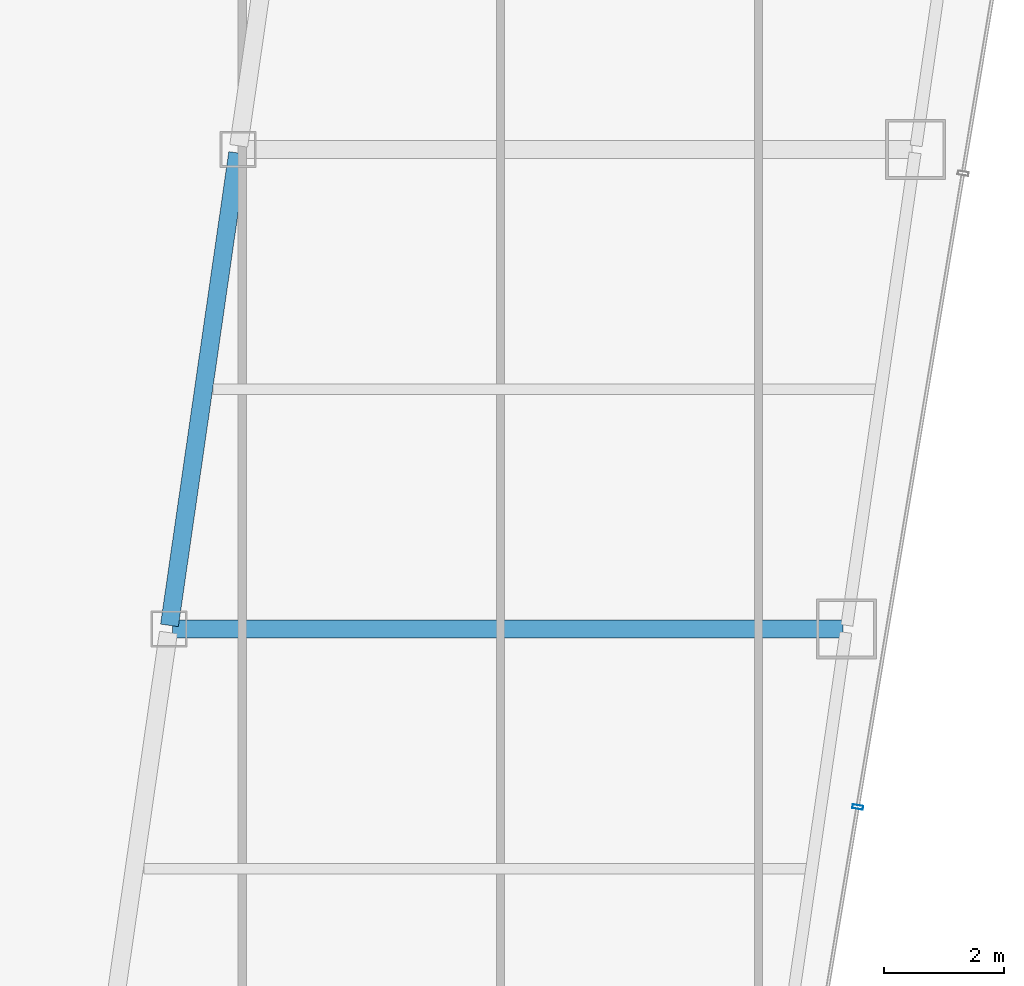
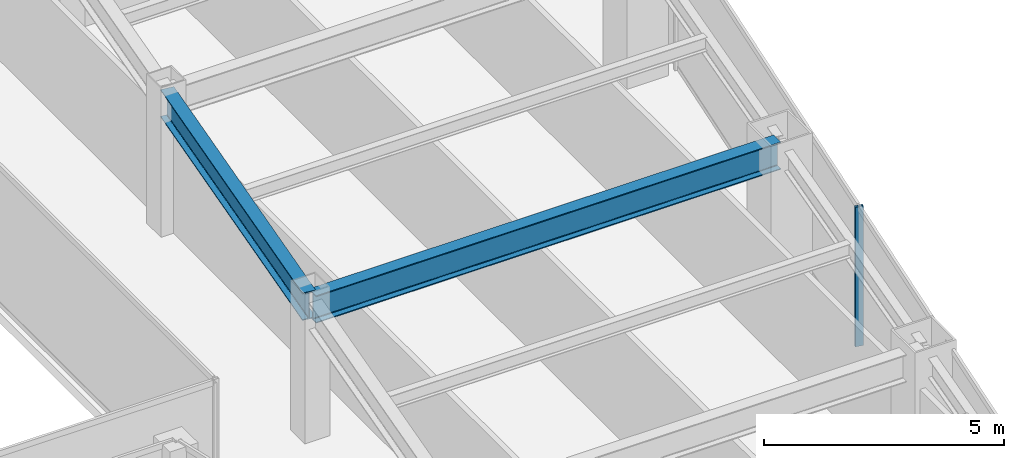
# One storey, part 16 of 36: 2 beams, 1 member, 1 element without a shape of its own.
"""IFC4 building model written with IfcOpenShell, lengths in metres."""

from ifc_helpers import new_model, si_unit, direction, frame, origin, origin_2d, place, context, subcontext, project, spatial, hollow_rectangle, i_section, extrude, material, material_profile, profile_set, type_object, element, aggregate, save


model = new_model("IFC4")

# Units and contexts
model_context = context("Model", 3, precision=1e-05, world=origin(), true_north=direction((0.0, 1.0)))
body_context = subcontext(model_context, "Body", "Model", "MODEL_VIEW")
ifc_project = project(units=[si_unit("LENGTHUNIT", "METRE"), si_unit("AREAUNIT", "SQUARE_METRE"), si_unit("VOLUMEUNIT", "CUBIC_METRE"), si_unit("PLANEANGLEUNIT", "RADIAN"), si_unit("MASSUNIT", "GRAM", prefix="KILO")], contexts=[model_context])

# Site, building, storey
site_placement = place(None, origin())
site = spatial("IfcSite", under=ifc_project, at=site_placement, CompositionType="ELEMENT")
building_placement = place(site_placement, origin())
building = spatial("IfcBuilding", under=site, at=building_placement, Name="Saevonmaru Cultural Tower", CompositionType="ELEMENT")
storey_placement = place(building_placement, frame((0.0, 0.0, 148.60009765625)))
storey = spatial("IfcBuildingStorey", under=building, at=storey_placement, Name="L32", CompositionType="ELEMENT", Elevation=148.60009765625)

# Beams
ifc_material_1 = material(Name="Steel SM355", Category="steel")
ifc_material_profile_1 = material_profile(ifc_material_1, i_section(OverallWidth=0.300048828125, OverallDepth=0.699951171875, WebThickness=0.012939453125, FlangeThickness=0.02392578125, FilletRadius=0.02587890625, at=origin_2d()), Name="H-700x300x13x24")
ifc_profile_set_1 = profile_set([ifc_material_profile_1], Name="Steel SM355")
beam_type = type_object("IfcBeamType", Name="BM-G-H700", PredefinedType="BEAM", material=ifc_profile_set_1)
beam_1_placement = place(storey_placement, frame((39.236572265625, 24.059326171875, 3.199951171875), z_axis=(0.142902032203, 0.989736838353, 0.0), x_axis=(-0.989736838353, 0.142902032203, 0.0)))
element("IfcBeam", 1, at=beam_1_placement, inside=storey, type_object=beam_type, Name="L32 East Atrium Girder 3", PredefinedType="BEAM", context=body_context, shape_type="SweptSolid", body=[
    extrude(i_section(OverallWidth=0.300048828125, OverallDepth=0.699951171875, WebThickness=0.012939453125, FlangeThickness=0.02392578125, FilletRadius=0.02587890625, at=origin_2d()), origin(), (0.0, 0.0, 1.0), 7.963134765625),
])
beam_2_placement = place(storey_placement, frame((39.2880859375, 24.0, 3.199951171875), z_axis=(1.0, 0.0, 0.0), x_axis=(0.0, 1.0, 0.0)))
element("IfcBeam", 2, at=beam_2_placement, inside=storey, type_object=beam_type, Name="L32 East Wing Transverse Girder 3", PredefinedType="BEAM", context=body_context, shape_type="SweptSolid", body=[
    extrude(i_section(OverallWidth=0.300048828125, OverallDepth=0.699951171875, WebThickness=0.012939453125, FlangeThickness=0.02392578125, FilletRadius=0.02587890625, at=origin_2d()), origin(), (0.0, 0.0, 1.0), 11.179931640625),
])

# Curtain wall, member
ifc_material_2 = material(Name="Satin Bronze Anodised Aluminium", Category="aluminium")
curtain_wall_type = type_object("IfcCurtainWallType", Name="CW-TYP-A", PredefinedType="NOTDEFINED", material=ifc_material_2)
curtain_wall_placement = place(storey_placement, origin())
curtain_wall = element("IfcCurtainWall", 3, at=curtain_wall_placement, inside=storey, type_object=curtain_wall_type, Name="L32 Unitised Curtain Wall E8", PredefinedType="NOTDEFINED")
ifc_material_profile_2 = material_profile(ifc_material_2, hollow_rectangle(XDim=0.06494140625, YDim=0.179931640625, WallThickness=0.00390625, at=origin_2d()), Name="ALU-MULL-180x65x4")
ifc_profile_set_2 = profile_set([ifc_material_profile_2], Name="Satin Bronze Anodised Aluminium")
member_type = type_object("IfcMemberType", Name="ML-CW-180x65", PredefinedType="MULLION", material=ifc_profile_set_2)
member_placement = place(storey_placement, frame((50.71826171875, 21.029541015625, 0.0), z_axis=(0.0, 0.0, 1.0), x_axis=(0.163998702345, 0.986460554523, 0.0)))
member = element("IfcMember", 4, at=member_placement, type_object=member_type, Name="CW-TW-L32-E8 mullion 2", PredefinedType="MULLION", context=body_context, shape_type="SweptSolid", body=[
    extrude(hollow_rectangle(XDim=0.06494140625, YDim=0.179931640625, WallThickness=0.00390625, at=origin_2d()), origin(), (0.0, 0.0, 1.0), 3.5498046875),
])
aggregate(curtain_wall, [member])

save(model, "model.ifc")
